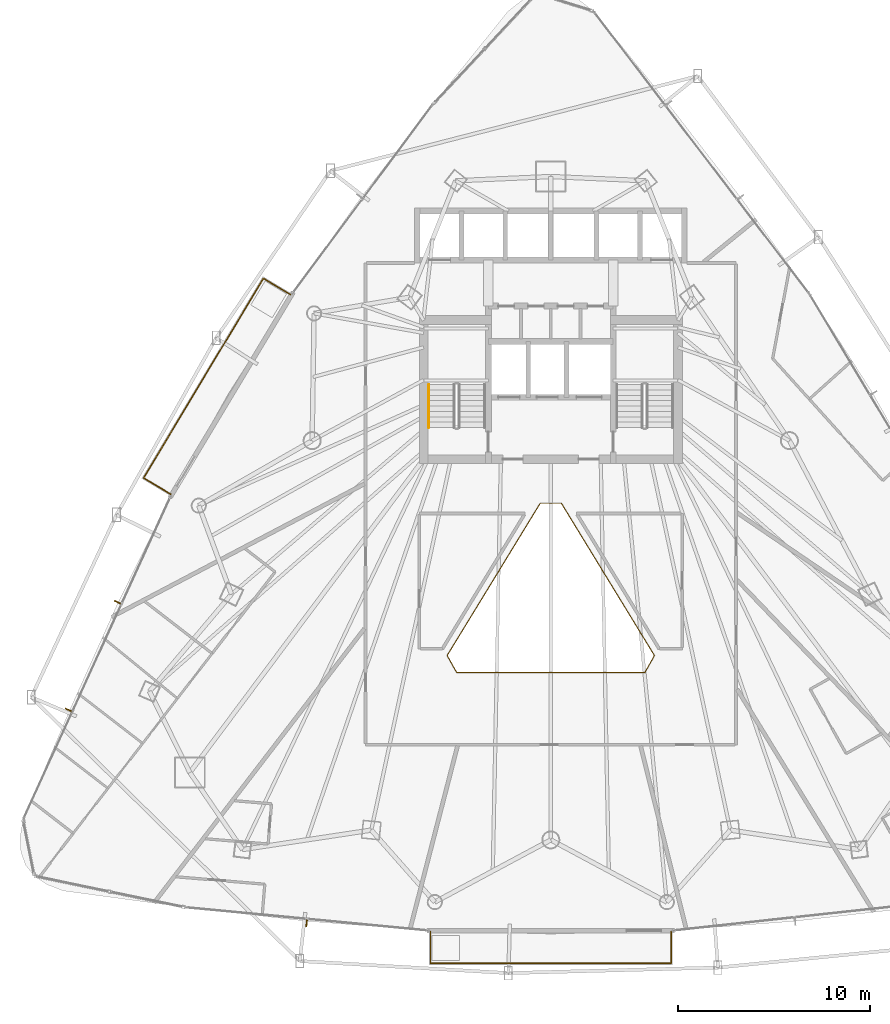
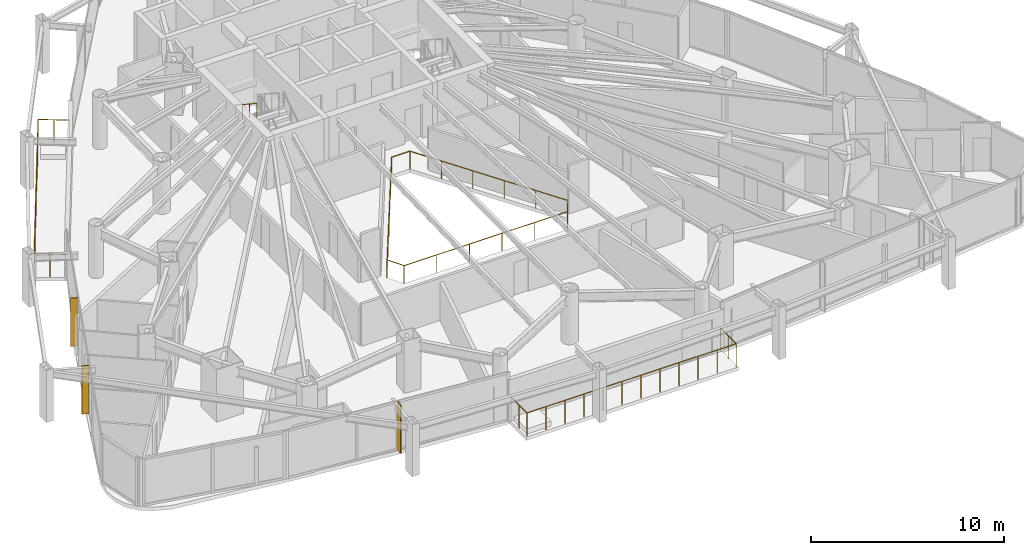
# One storey, part 32 of 34: 4 railings, 3 shading devices.
"""IFC4 building model written with IfcOpenShell, lengths in metres."""

from ifc_helpers import new_model, si_unit, direction, frame, origin, origin_2d, place, context, subcontext, project, spatial, rectangle, circle, extrude, material, layer, layer_set, type_object, element, save


model = new_model("IFC4")

# Units and contexts
model_context = context("Model", 3, precision=1e-05, world=origin(), true_north=direction((0.0, 1.0)))
body_context = subcontext(model_context, "Body", "Model", "MODEL_VIEW")
ifc_project = project(units=[si_unit("LENGTHUNIT", "METRE"), si_unit("AREAUNIT", "SQUARE_METRE"), si_unit("VOLUMEUNIT", "CUBIC_METRE"), si_unit("PLANEANGLEUNIT", "RADIAN"), si_unit("MASSUNIT", "GRAM", prefix="KILO")], contexts=[model_context])

# Site, building, storey
site_placement = place(None, origin())
site = spatial("IfcSite", under=ifc_project, at=site_placement, CompositionType="ELEMENT")
building_placement = place(site_placement, origin())
building = spatial("IfcBuilding", under=site, at=building_placement, Name="Orvanel Arch Residences", CompositionType="ELEMENT")
storey_placement = place(building_placement, frame((0.0, 0.0, 74.14990234375)))
storey = spatial("IfcBuildingStorey", under=building, at=storey_placement, Name="L20", CompositionType="ELEMENT", Elevation=74.14990234375)

# Shading devices
ifc_material_1 = material(Name="Bronze-anodised aluminium AA6063-T6", Category="aluminium")
ifc_layer = layer(ifc_material_1, 0.06005859375)
ifc_layer_set = layer_set([ifc_layer], Name="Bronze-anodised aluminium AA6063-T6")
shading_device_type = type_object("IfcShadingDeviceType", Name="FIN-BRZ-380", PredefinedType="USERDEFINED", material=ifc_layer_set)
for number, where, z_axis, x_axis, name in (
    (1, (10.443115234375, 19.219970703125, 0.0), (0.0, 0.0, 1.0), (-0.909961270877, 0.414693242656, 0.0), "L20 Anodised Bronze Mullion FIN 01"),
    (2, (7.882080078125, 13.612060546875, 0.0), (0.0, 0.0, 1.0), (-0.909961270877, 0.414693242656, 0.0), "L20 Anodised Bronze Mullion FIN 02"),
    (3, (20.283935546875, 2.508056640625, 0.0), (0.0, 0.0, 1.0), (-0.09584575252, -0.995396198367, 0.0), "L20 Anodised Bronze Mullion FIN 01"),
):
    element("IfcShadingDevice", number, at=place(storey_placement, frame(where, z_axis=z_axis, x_axis=x_axis)), inside=storey, type_object=shading_device_type, Name=name, ObjectType="FIN", PredefinedType="USERDEFINED", context=body_context, shape_type="SweptSolid", body=[
        extrude(rectangle(XDim=0.3798828125, YDim=0.06005859375, at=origin_2d()), origin(), (0.0, 0.0, 1.0), 3.06005859375),
    ])

# Railings
railing_type_1 = type_object("IfcRailingType", Name="RL-ATR-1150", PredefinedType="BALUSTRADE", material=ifc_material_1)
railing_1_placement = place(storey_placement, frame((33.547119140625, 24.3798828125, 0.0)))
element("IfcRailing", 4, at=railing_1_placement, inside=storey, type_object=railing_type_1, Name="L20 Atrium Void Protective Balustrade", PredefinedType="BALUSTRADE", context=body_context, shape_type="SweptSolid", body=[
    extrude(circle(Radius=0.02392578125, at=origin_2d()), frame((-0.00146484375, 0.0, 1.1259765625), z_axis=(-1.0, 0.0, 0.0), x_axis=(0.0, -1.0, 0.0)), (0.0, 0.0, 1.0), 1.09130859375),
    extrude(circle(Radius=0.02392578125, at=origin_2d()), frame((-1.094970703125, -0.001220703125, 1.1259765625), z_axis=(-0.521576412235, -0.853204574648, 0.0), x_axis=(0.853204574648, -0.521576412235, 0.0)), (0.0, 0.0, 1.0), 9.293701171875),
    extrude(circle(Radius=0.02392578125, at=origin_2d()), frame((-5.9423828125, -7.93310546875, 1.1259765625), z_axis=(0.488429405974, -0.872603412427, 0.0), x_axis=(0.872603412427, 0.488429405974, 0.0)), (0.0, 0.0, 1.0), 1.022705078125),
    extrude(circle(Radius=0.02392578125, at=origin_2d()), frame((-5.440673828125, -8.826904296875, 1.1259765625), z_axis=(1.0, 0.0, 0.0), x_axis=(0.0, 1.0, 0.0)), (0.0, 0.0, 1.0), 9.787109375),
    extrude(circle(Radius=0.02392578125, at=origin_2d()), frame((4.3486328125, -8.82568359375, 1.1259765625), z_axis=(0.488429405974, 0.872603412427, 0.0), x_axis=(-0.872603412427, 0.488429405974, 0.0)), (0.0, 0.0, 1.0), 1.022705078125),
    extrude(circle(Radius=0.02392578125, at=origin_2d()), frame((4.84814453125, -7.9306640625, 1.1259765625), z_axis=(-0.521576412235, 0.853204574648, 0.0), x_axis=(-0.853204574648, -0.521576412235, 0.0)), (0.0, 0.0, 1.0), 9.293701171875),
    extrude(circle(Radius=0.02099609375, at=origin_2d()), origin(), (0.0, 0.0, 1.0), 1.099853515625),
    extrude(circle(Radius=0.02099609375, at=origin_2d()), frame((-1.09423828125, 0.0, 0.0)), (0.0, 0.0, 1.0), 1.099853515625),
    extrude(circle(Radius=0.02099609375, at=origin_2d()), frame((-2.06396484375, -1.58642578125, 0.0)), (0.0, 0.0, 1.0), 1.099853515625),
    extrude(circle(Radius=0.02099609375, at=origin_2d()), frame((-3.03369140625, -3.1728515625, 0.0)), (0.0, 0.0, 1.0), 1.099853515625),
    extrude(circle(Radius=0.02099609375, at=origin_2d()), frame((-4.003662109375, -4.759033203125, 0.0)), (0.0, 0.0, 1.0), 1.099853515625),
    extrude(circle(Radius=0.02099609375, at=origin_2d()), frame((-4.973388671875, -6.345458984375, 0.0)), (0.0, 0.0, 1.0), 1.099853515625),
    extrude(circle(Radius=0.02099609375, at=origin_2d()), frame((-5.943115234375, -7.931884765625, 0.0)), (0.0, 0.0, 1.0), 1.099853515625),
    extrude(circle(Radius=0.02099609375, at=origin_2d()), frame((-5.442138671875, -8.826904296875, 0.0)), (0.0, 0.0, 1.0), 1.099853515625),
    extrude(circle(Radius=0.02099609375, at=origin_2d()), frame((-3.484130859375, -8.826904296875, 0.0)), (0.0, 0.0, 1.0), 1.099853515625),
    extrude(circle(Radius=0.02099609375, at=origin_2d()), frame((-1.526123046875, -8.826904296875, 0.0)), (0.0, 0.0, 1.0), 1.099853515625),
    extrude(circle(Radius=0.02099609375, at=origin_2d()), frame((0.431884765625, -8.826904296875, 0.0)), (0.0, 0.0, 1.0), 1.099853515625),
    extrude(circle(Radius=0.02099609375, at=origin_2d()), frame((2.389892578125, -8.826904296875, 0.0)), (0.0, 0.0, 1.0), 1.099853515625),
    extrude(circle(Radius=0.02099609375, at=origin_2d()), frame((4.347900390625, -8.826904296875, 0.0)), (0.0, 0.0, 1.0), 1.099853515625),
    extrude(circle(Radius=0.02099609375, at=origin_2d()), frame((4.848876953125, -7.931884765625, 0.0)), (0.0, 0.0, 1.0), 1.099853515625),
    extrude(circle(Radius=0.02099609375, at=origin_2d()), frame((3.879150390625, -6.345458984375, 0.0)), (0.0, 0.0, 1.0), 1.099853515625),
    extrude(circle(Radius=0.02099609375, at=origin_2d()), frame((2.909423828125, -4.759033203125, 0.0)), (0.0, 0.0, 1.0), 1.099853515625),
    extrude(circle(Radius=0.02099609375, at=origin_2d()), frame((1.939453125, -3.1728515625, 0.0)), (0.0, 0.0, 1.0), 1.099853515625),
    extrude(circle(Radius=0.02099609375, at=origin_2d()), frame((0.9697265625, -1.58642578125, 0.0)), (0.0, 0.0, 1.0), 1.099853515625),
])
railing_type_2 = type_object("IfcRailingType", Name="RL-BAL-1480", PredefinedType="BALUSTRADE", material=ifc_material_1)
railing_2_placement = place(storey_placement, frame((19.43310546875, 35.248046875, 0.0)))
element("IfcRailing", 5, at=railing_2_placement, inside=storey, type_object=railing_type_2, Name="L20 Balcony Perimeter Guardrail Face 1", PredefinedType="BALUSTRADE", context=body_context, shape_type="SweptSolid", body=[
    extrude(circle(Radius=0.02392578125, at=origin_2d()), frame((-0.001220703125, 0.000732421875, 1.4560546875), z_axis=(-0.857387817543, 0.514670895164, 0.0), x_axis=(-0.514670895164, -0.857387817543, 0.0)), (0.0, 0.0, 1.0), 1.636962890625),
    extrude(circle(Radius=0.02392578125, at=origin_2d()), frame((-1.40673828125, 0.8427734375, 1.4560546875), z_axis=(-0.514392066285, -0.857555130673, 0.0), x_axis=(0.857555130673, -0.514392066285, 0.0)), (0.0, 0.0, 1.0), 12.116455078125),
    extrude(circle(Radius=0.02392578125, at=origin_2d()), frame((-7.638916015625, -9.5498046875, 1.4560546875), z_axis=(0.857545439568, -0.514408222208, 0.0), x_axis=(0.514408222208, 0.857545439568, 0.0)), (0.0, 0.0, 1.0), 1.6376953125),
    extrude(circle(Radius=0.02099609375, at=origin_2d()), origin(), (0.0, 0.0, 1.0), 1.429931640625),
    extrude(circle(Radius=0.02099609375, at=origin_2d()), frame((-0.703125, 0.421875, 0.0)), (0.0, 0.0, 1.0), 1.429931640625),
    extrude(circle(Radius=0.02099609375, at=origin_2d()), frame((-1.406005859375, 0.843994140625, 0.0)), (0.0, 0.0, 1.0), 1.429931640625),
    extrude(circle(Radius=0.02099609375, at=origin_2d()), frame((-1.97265625, -0.100830078125, 0.0)), (0.0, 0.0, 1.0), 1.429931640625),
    extrude(circle(Radius=0.02099609375, at=origin_2d()), frame((-2.53955078125, -1.045654296875, 0.0)), (0.0, 0.0, 1.0), 1.429931640625),
    extrude(circle(Radius=0.02099609375, at=origin_2d()), frame((-3.106201171875, -1.990478515625, 0.0)), (0.0, 0.0, 1.0), 1.429931640625),
    extrude(circle(Radius=0.02099609375, at=origin_2d()), frame((-3.6728515625, -2.935302734375, 0.0)), (0.0, 0.0, 1.0), 1.429931640625),
    extrude(circle(Radius=0.02099609375, at=origin_2d()), frame((-4.23974609375, -3.880126953125, 0.0)), (0.0, 0.0, 1.0), 1.429931640625),
    extrude(circle(Radius=0.02099609375, at=origin_2d()), frame((-4.806396484375, -4.824951171875, 0.0)), (0.0, 0.0, 1.0), 1.429931640625),
    extrude(circle(Radius=0.02099609375, at=origin_2d()), frame((-5.373291015625, -5.769775390625, 0.0)), (0.0, 0.0, 1.0), 1.429931640625),
    extrude(circle(Radius=0.02099609375, at=origin_2d()), frame((-5.93994140625, -6.714599609375, 0.0)), (0.0, 0.0, 1.0), 1.429931640625),
    extrude(circle(Radius=0.02099609375, at=origin_2d()), frame((-6.506591796875, -7.659423828125, 0.0)), (0.0, 0.0, 1.0), 1.429931640625),
    extrude(circle(Radius=0.02099609375, at=origin_2d()), frame((-7.073486328125, -8.604248046875, 0.0)), (0.0, 0.0, 1.0), 1.429931640625),
    extrude(circle(Radius=0.02099609375, at=origin_2d()), frame((-7.64013671875, -9.549072265625, 0.0)), (0.0, 0.0, 1.0), 1.429931640625),
    extrude(circle(Radius=0.02099609375, at=origin_2d()), frame((-6.9365234375, -9.97119140625, 0.0)), (0.0, 0.0, 1.0), 1.429931640625),
    extrude(circle(Radius=0.02099609375, at=origin_2d()), frame((-6.233154296875, -10.39306640625, 0.0)), (0.0, 0.0, 1.0), 1.429931640625),
])
railing_3_placement = place(storey_placement, frame((26.73193359375, 2.05810546875, 0.0)))
element("IfcRailing", 6, at=railing_3_placement, inside=storey, type_object=railing_type_2, Name="L20 Balcony Perimeter Guardrail Face 2", PredefinedType="BALUSTRADE", context=body_context, shape_type="SweptSolid", body=[
    extrude(circle(Radius=0.02392578125, at=origin_2d()), frame((0.0, -0.00146484375, 1.4560546875), z_axis=(0.0, -1.0, 0.0), x_axis=(1.0, 0.0, 0.0)), (0.0, 0.0, 1.0), 1.63720703125),
    extrude(circle(Radius=0.02392578125, at=origin_2d()), frame((0.00146484375, -1.64013671875, 1.4560546875), z_axis=(1.0, 0.0, 0.0), x_axis=(0.0, 1.0, 0.0)), (0.0, 0.0, 1.0), 12.5322265625),
    extrude(circle(Radius=0.02392578125, at=origin_2d()), frame((12.53515625, -1.638671875, 1.4560546875), z_axis=(0.0, 1.0, 0.0), x_axis=(-1.0, 0.0, 0.0)), (0.0, 0.0, 1.0), 1.63720703125),
    extrude(circle(Radius=0.02099609375, at=origin_2d()), origin(), (0.0, 0.0, 1.0), 1.429931640625),
    extrude(circle(Radius=0.02099609375, at=origin_2d()), frame((0.0, -0.820068359375, 0.0)), (0.0, 0.0, 1.0), 1.429931640625),
    extrude(circle(Radius=0.02099609375, at=origin_2d()), frame((0.0, -1.64013671875, 0.0)), (0.0, 0.0, 1.0), 1.429931640625),
    extrude(circle(Radius=0.02099609375, at=origin_2d()), frame((1.1396484375, -1.64013671875, 0.0)), (0.0, 0.0, 1.0), 1.429931640625),
    extrude(circle(Radius=0.02099609375, at=origin_2d()), frame((2.279052734375, -1.64013671875, 0.0)), (0.0, 0.0, 1.0), 1.429931640625),
    extrude(circle(Radius=0.02099609375, at=origin_2d()), frame((3.418701171875, -1.64013671875, 0.0)), (0.0, 0.0, 1.0), 1.429931640625),
    extrude(circle(Radius=0.02099609375, at=origin_2d()), frame((4.558349609375, -1.64013671875, 0.0)), (0.0, 0.0, 1.0), 1.429931640625),
    extrude(circle(Radius=0.02099609375, at=origin_2d()), frame((5.69775390625, -1.64013671875, 0.0)), (0.0, 0.0, 1.0), 1.429931640625),
    extrude(circle(Radius=0.02099609375, at=origin_2d()), frame((6.83740234375, -1.64013671875, 0.0)), (0.0, 0.0, 1.0), 1.429931640625),
    extrude(circle(Radius=0.02099609375, at=origin_2d()), frame((7.976806640625, -1.64013671875, 0.0)), (0.0, 0.0, 1.0), 1.429931640625),
    extrude(circle(Radius=0.02099609375, at=origin_2d()), frame((9.116455078125, -1.64013671875, 0.0)), (0.0, 0.0, 1.0), 1.429931640625),
    extrude(circle(Radius=0.02099609375, at=origin_2d()), frame((10.256103515625, -1.64013671875, 0.0)), (0.0, 0.0, 1.0), 1.429931640625),
    extrude(circle(Radius=0.02099609375, at=origin_2d()), frame((11.3955078125, -1.64013671875, 0.0)), (0.0, 0.0, 1.0), 1.429931640625),
    extrude(circle(Radius=0.02099609375, at=origin_2d()), frame((12.53515625, -1.64013671875, 0.0)), (0.0, 0.0, 1.0), 1.429931640625),
    extrude(circle(Radius=0.02099609375, at=origin_2d()), frame((12.53515625, -0.820068359375, 0.0)), (0.0, 0.0, 1.0), 1.429931640625),
    extrude(circle(Radius=0.02099609375, at=origin_2d()), frame((12.53515625, 0.0, 0.0)), (0.0, 0.0, 1.0), 1.429931640625),
])
ifc_material_2 = material(Name="Structural steel AS/NZS 1163 C350L0 (Grade 350)", Category="steel")
railing_type_3 = type_object("IfcRailingType", Name="RL-STAIR-HAND", PredefinedType="HANDRAIL", material=ifc_material_2)
railing_4_placement = place(storey_placement, frame((26.64990234375, 30.56005859375, 1.83349609375)))
element("IfcRailing", 7, at=railing_4_placement, inside=storey, type_object=railing_type_3, Name="L20 ST-1 stair handrail 2", PredefinedType="HANDRAIL", context=body_context, shape_type="SweptSolid", body=[
    extrude(circle(Radius=0.02392578125, at=origin_2d()), frame((0.0, -0.001220703125, 0.876708984375), z_axis=(0.0, -0.836636935527, 0.547757827979), x_axis=(1.0, 0.0, 0.0)), (0.0, 0.0, 1.0), 2.67431640625),
    extrude(circle(Radius=0.02099609375, at=origin_2d()), origin(), (0.0, 0.0, 1.0), 0.849853515625),
    extrude(circle(Radius=0.02099609375, at=origin_2d()), frame((0.0, -0.74658203125, 0.48876953125)), (0.0, 0.0, 1.0), 0.849853515625),
    extrude(circle(Radius=0.02099609375, at=origin_2d()), frame((0.0, -1.493408203125, 0.977783203125)), (0.0, 0.0, 1.0), 0.849853515625),
    extrude(circle(Radius=0.02099609375, at=origin_2d()), frame((0.0, -2.239990234375, 1.466552734375)), (0.0, 0.0, 1.0), 0.849853515625),
])

save(model, "model.ifc")
